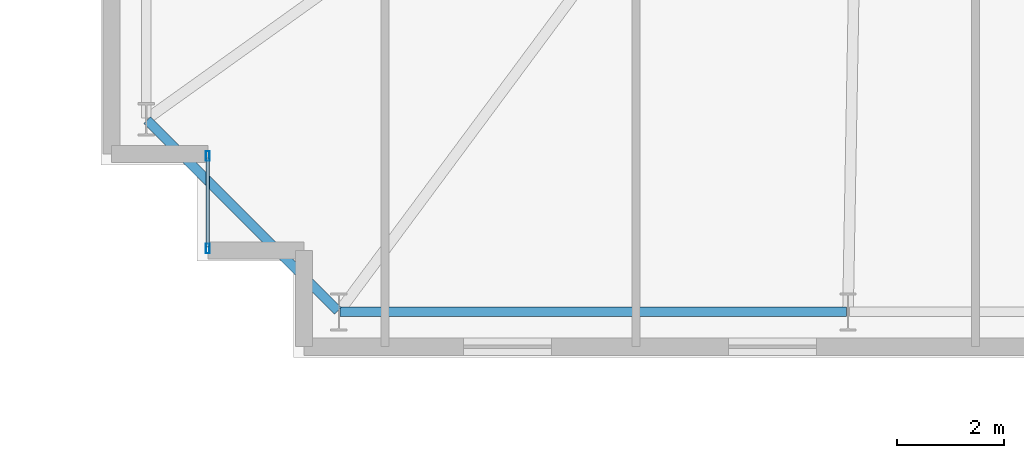
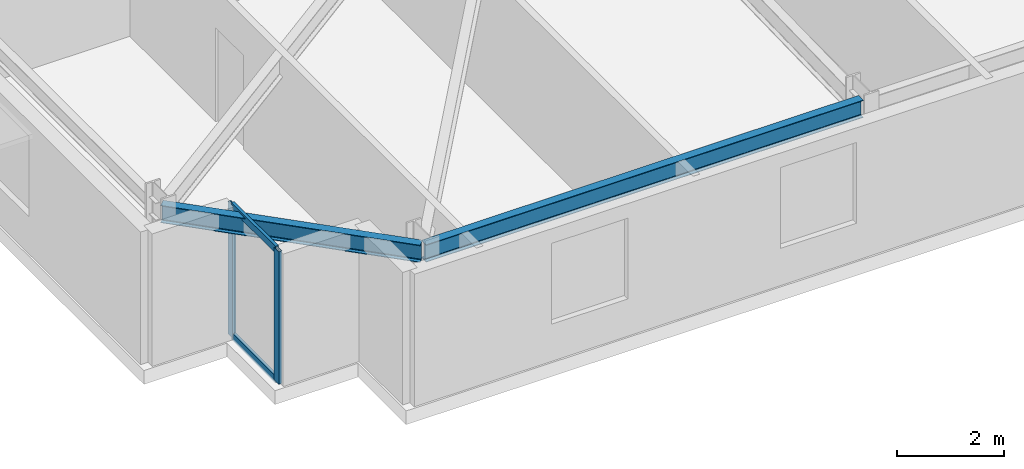
# One storey, part 4 of 20: 4 members, 2 beams, 1 element without a shape of its own.
"""IFC4 building model written with IfcOpenShell, lengths in metres."""

from ifc_helpers import new_model, si_unit, direction, frame, origin, origin_2d, place, context, subcontext, project, spatial, hollow_rectangle, i_section, extrude, material, layer, layer_set, material_profile, profile_set, type_object, element, aggregate, save


model = new_model("IFC4")

# Units and contexts
model_context = context("Model", 3, precision=1e-05, world=origin(), true_north=direction((0.0, 1.0)))
body_context = subcontext(model_context, "Body", "Model", "MODEL_VIEW")
ifc_project = project(units=[si_unit("LENGTHUNIT", "METRE"), si_unit("AREAUNIT", "SQUARE_METRE"), si_unit("VOLUMEUNIT", "CUBIC_METRE"), si_unit("PLANEANGLEUNIT", "RADIAN"), si_unit("MASSUNIT", "GRAM", prefix="KILO")], contexts=[model_context])

# Site, building, storey
site_placement = place(None, origin())
site = spatial("IfcSite", under=ifc_project, at=site_placement, CompositionType="ELEMENT")
building_placement = place(site_placement, origin())
building = spatial("IfcBuilding", under=site, at=building_placement, Name="Qobustan Lattice House", CompositionType="ELEMENT")
storey_placement = place(building_placement, frame((0.0, 0.0, 63.85009765625)))
storey = spatial("IfcBuildingStorey", under=building, at=storey_placement, Name="L17", CompositionType="ELEMENT", Elevation=63.85009765625)

# Beams
ifc_material_1 = material(Name="Steel S355", Category="steel")
ifc_material_profile_1 = material_profile(ifc_material_1, i_section(OverallWidth=0.179931640625, OverallDepth=0.39990234375, WebThickness=0.008544921875, FlangeThickness=0.013427734375, FilletRadius=0.02099609375, at=origin_2d()), Name="IPE400")
ifc_profile_set_1 = profile_set([ifc_material_profile_1], Name="Steel S355")
beam_type = type_object("IfcBeamType", Name="BM-SPD-IPE400", PredefinedType="SPANDREL", material=ifc_profile_set_1)
beam_1_placement = place(storey_placement, frame((-28.52490234375, -18.75, 2.8349609375), z_axis=(1.0, 0.0, 0.0), x_axis=(0.0, 1.0, 0.0)))
element("IfcBeam", 1, at=beam_1_placement, inside=storey, type_object=beam_type, Name="L17 perimeter spandrel S1-S2", PredefinedType="SPANDREL", context=body_context, shape_type="SweptSolid", body=[
    extrude(i_section(OverallWidth=0.179931640625, OverallDepth=0.39990234375, WebThickness=0.008544921875, FlangeThickness=0.013427734375, FilletRadius=0.02099609375, at=origin_2d()), origin(), (0.0, 0.0, 1.0), 9.466552734375),
])
beam_2_placement = place(storey_placement, frame((-32.13232421875, -15.167724609375, 2.8349609375), z_axis=(0.707106781187, -0.707106781187, 0.0), x_axis=(0.707106781187, 0.707106781187, 0.0)))
element("IfcBeam", 2, at=beam_2_placement, inside=storey, type_object=beam_type, Name="L17 perimeter spandrel W4-S1", PredefinedType="SPANDREL", context=body_context, shape_type="SweptSolid", body=[
    extrude(i_section(OverallWidth=0.179931640625, OverallDepth=0.39990234375, WebThickness=0.008544921875, FlangeThickness=0.013427734375, FilletRadius=0.02099609375, at=origin_2d()), origin(), (0.0, 0.0, 1.0), 5.041259765625),
])

# Curtain wall, members
ifc_material_2 = material(Name="Anodised aluminium and low-E glazing", Category="aluminium")
ifc_layer = layer(ifc_material_2, 0.219970703125)
ifc_layer_set = layer_set([ifc_layer], Name="Anodised aluminium and low-E glazing")
curtain_wall_type = type_object("IfcCurtainWallType", Name="CW-FAC-01", PredefinedType="USERDEFINED", material=ifc_layer_set)
curtain_wall_placement = place(storey_placement, origin())
curtain_wall = element("IfcCurtainWall", 3, at=curtain_wall_placement, inside=storey, type_object=curtain_wall_type, Name="L17 serrated corner faceted glazing 3", ObjectType="CURTAIN WALL", PredefinedType="USERDEFINED")
ifc_material_3 = material(Name="Anodised aluminium EN AW-6063 T6", Category="aluminium")
ifc_material_profile_2 = material_profile(ifc_material_3, hollow_rectangle(XDim=0.070068359375, YDim=0.179931640625, WallThickness=0.00439453125, at=origin_2d()), Name="CWM-180x70")
ifc_profile_set_2 = profile_set([ifc_material_profile_2], Name="Anodised aluminium EN AW-6063 T6")
member_type_1 = type_object("IfcMemberType", Name="CWM-STD-180", PredefinedType="MULLION", material=ifc_profile_set_2)
member_1_placement = place(storey_placement, frame((-31.0, -17.56494140625, 0.0), z_axis=(0.0, 0.0, 1.0), x_axis=(-1.0, 0.0, 0.0)))
member_1 = element("IfcMember", 4, at=member_1_placement, type_object=member_type_1, Name="CW-F1 mullion 1", PredefinedType="MULLION", context=body_context, shape_type="SweptSolid", body=[
    extrude(hollow_rectangle(XDim=0.070068359375, YDim=0.179931640625, WallThickness=0.00439453125, at=origin_2d()), origin(), (0.0, 0.0, 1.0), 3.034912109375),
])
member_2_placement = place(storey_placement, frame((-31.0, -15.8349609375, 0.0), z_axis=(0.0, 0.0, 1.0), x_axis=(-1.0, 0.0, 0.0)))
member_2 = element("IfcMember", 5, at=member_2_placement, type_object=member_type_1, Name="CW-F1 mullion 2", PredefinedType="MULLION", context=body_context, shape_type="SweptSolid", body=[
    extrude(hollow_rectangle(XDim=0.070068359375, YDim=0.179931640625, WallThickness=0.00439453125, at=origin_2d()), origin(), (0.0, 0.0, 1.0), 3.034912109375),
])
ifc_material_4 = material(Name="Anodised aluminium EN AW-6063 T6", Category="aluminium")
ifc_material_profile_3 = material_profile(ifc_material_4, hollow_rectangle(XDim=0.06494140625, YDim=0.159912109375, WallThickness=0.00390625, at=origin_2d()), Name="CWT-160x65")
ifc_profile_set_3 = profile_set([ifc_material_profile_3], Name="Anodised aluminium EN AW-6063 T6")
member_type_2 = type_object("IfcMemberType", Name="CWT-HOR-160", PredefinedType="USERDEFINED", material=ifc_profile_set_3)
member_3_placement = place(storey_placement, frame((-31.0, -17.530029296875, 0.032470703125), z_axis=(0.0, 1.0, 0.0), x_axis=(-1.0, 0.0, 0.0)))
member_3 = element("IfcMember", 6, at=member_3_placement, type_object=member_type_2, Name="CW-F1 transom 1.1", ObjectType="TRANSOM", PredefinedType="USERDEFINED", context=body_context, shape_type="SweptSolid", body=[
    extrude(hollow_rectangle(XDim=0.06494140625, YDim=0.159912109375, WallThickness=0.00390625, at=origin_2d()), origin(), (0.0, 0.0, 1.0), 1.659912109375),
])
member_4_placement = place(storey_placement, frame((-31.0, -17.530029296875, 3.00244140625), z_axis=(0.0, 1.0, 0.0), x_axis=(-1.0, 0.0, 0.0)))
member_4 = element("IfcMember", 7, at=member_4_placement, type_object=member_type_2, Name="CW-F1 transom 1.2", ObjectType="TRANSOM", PredefinedType="USERDEFINED", context=body_context, shape_type="SweptSolid", body=[
    extrude(hollow_rectangle(XDim=0.06494140625, YDim=0.159912109375, WallThickness=0.00390625, at=origin_2d()), origin(), (0.0, 0.0, 1.0), 1.659912109375),
])
aggregate(curtain_wall, [member_1, member_2, member_3, member_4])

save(model, "model.ifc")
